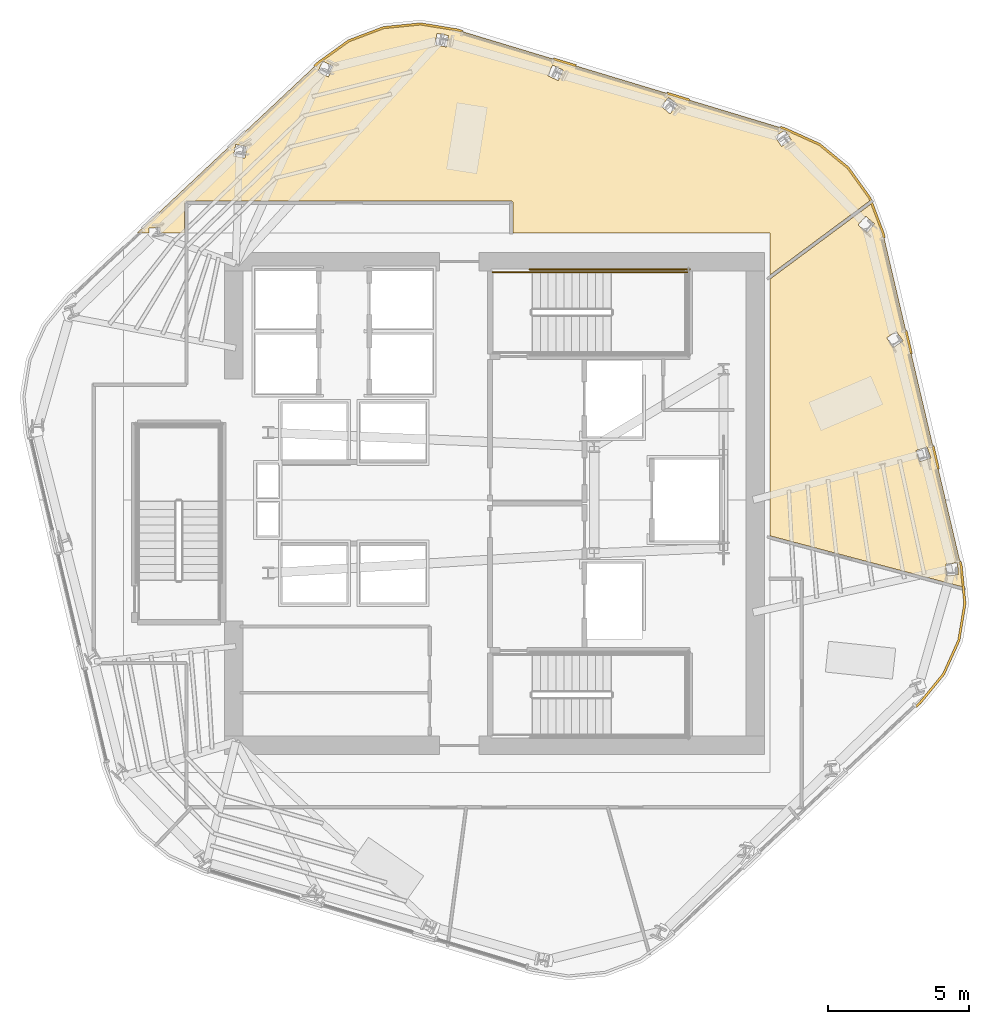
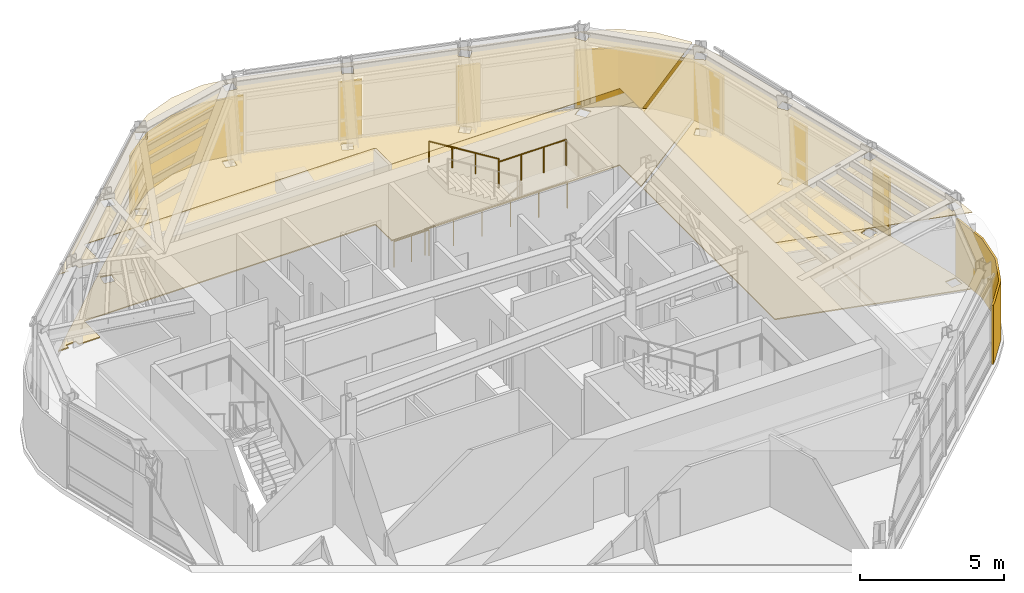
# One storey, part 13 of 14: 11 coverings, 4 railings.
"""IFC4 building model written with IfcOpenShell, lengths in metres."""

from ifc_helpers import new_model, si_unit, direction, frame, origin, origin_2d, place, context, subcontext, project, spatial, polyline, circle, outline, extrude, material, layer, layer_set, type_object, element, save


model = new_model("IFC4")

# Units and contexts
model_context = context("Model", 3, precision=1e-05, world=origin(), true_north=direction((0.0, 1.0)))
body_context = subcontext(model_context, "Body", "Model", "MODEL_VIEW")
ifc_project = project(units=[si_unit("LENGTHUNIT", "METRE"), si_unit("AREAUNIT", "SQUARE_METRE"), si_unit("VOLUMEUNIT", "CUBIC_METRE"), si_unit("PLANEANGLEUNIT", "RADIAN"), si_unit("MASSUNIT", "GRAM", prefix="KILO")], contexts=[model_context])

# Site, building, storey
site_placement = place(None, origin())
site = spatial("IfcSite", under=ifc_project, at=site_placement, CompositionType="ELEMENT")
building_placement = place(site_placement, origin())
building = spatial("IfcBuilding", under=site, at=building_placement, Name="Valkerne Bourse Tower", CompositionType="ELEMENT")
storey_placement = place(building_placement, frame((0.0, 0.0, 209.39990234375)))
storey = spatial("IfcBuildingStorey", under=building, at=storey_placement, Name="L53", CompositionType="ELEMENT", Elevation=209.39990234375)

# Coverings
ifc_material_1 = material(Name="Mineral Fiber Acoustic Ceiling Tile", Category="acoustic")
ifc_layer_1 = layer(ifc_material_1, 0.02490234375)
ifc_layer_set_1 = layer_set([ifc_layer_1], Name="Mineral Fiber Acoustic Ceiling Tile")
covering_type_1 = type_object("IfcCoveringType", Name="COV-CEIL-ACT", PredefinedType="CEILING", material=ifc_layer_set_1)
covering_1_placement = place(storey_placement, frame((0.0, 0.0, 3.25)))
element("IfcCovering", 1, at=covering_1_placement, inside=storey, type_object=covering_type_1, Name="L53 Suspended Ceiling 08", PredefinedType="CEILING", context=body_context, shape_type="SweptSolid", body=[
    extrude(outline(polyline([(60.218017578125, 37.543701171875), (60.61474609375, 36.493896484375), (63.395263671875, 24.638916015625), (63.468505859375, 23.906982421875), (56.60009765625, 25.725341796875), (56.60009765625, 34.857421875), (60.218017578125, 37.543701171875)]), holes=[polyline([(63.296630859375, 24.350830078125), (63.265869140625, 24.7607421875), (62.8525390625, 24.72998046875), (62.852294921875, 24.727783203125), (62.883056640625, 24.31787109375), (63.296142578125, 24.348388671875), (63.296630859375, 24.350830078125)]), polyline([(62.320068359375, 28.50048828125), (62.186279296875, 28.889404296875), (61.794189453125, 28.7548828125), (61.79443359375, 28.752685546875), (61.92822265625, 28.364013671875), (62.3203125, 28.498291015625), (62.320068359375, 28.50048828125)]), polyline([(61.327392578125, 32.6640625), (61.0927734375, 33.001708984375), (60.752197265625, 32.765869140625), (60.753173828125, 32.763671875), (60.987548828125, 32.426025390625), (61.328125, 32.662109375), (61.327392578125, 32.6640625)]), polyline([(60.313232421875, 36.82568359375), (60.0009765625, 37.093017578125), (59.7314453125, 36.7783203125), (59.73291015625, 36.776611328125), (60.045166015625, 36.50927734375), (60.314697265625, 36.823974609375), (60.313232421875, 36.82568359375)])]), origin(), (0.0, 0.0, 1.0), 0.025146484375),
])
covering_2_placement = place(storey_placement, frame((0.0, 0.0, 3.25)))
element("IfcCovering", 2, at=covering_2_placement, inside=storey, type_object=covering_type_1, Name="L53 Suspended Ceiling 10", PredefinedType="CEILING", context=body_context, shape_type="SweptSolid", body=[
    extrude(outline(polyline([(40.547119140625, 42.552490234375), (41.62646484375, 43.328125), (42.86083984375, 43.79443359375), (44.173828125, 43.925537109375), (45.485595703125, 43.710693359375), (57.142333984375, 40.19140625), (58.353759765625, 39.64453125), (59.375, 38.80859375), (60.14501953125, 37.737060546875), (60.1748046875, 37.658447265625), (56.60009765625, 35.004150390625), (56.60009765625, 36.5), (47.468994140625, 36.5), (47.468994140625, 37.5634765625), (47.45166015625, 37.606201171875), (47.41015625, 37.62841796875), (35.849365234375, 37.62890625), (35.80419921875, 37.61181640625), (35.787353515625, 37.589111328125), (35.781005859375, 37.560302734375), (35.781005859375, 36.5), (34.936767578125, 36.5), (34.919921875, 36.69921875), (34.509765625, 36.665771484375), (34.50830078125, 36.663818359375), (34.522216796875, 36.5), (34.101806640625, 36.5), (40.547119140625, 42.552490234375)]), holes=[polyline([(37.92626953125, 39.15771484375), (38.0048828125, 39.564208984375), (37.60107421875, 39.643310546875), (37.599365234375, 39.64208984375), (37.5205078125, 39.235595703125), (37.92431640625, 39.156494140625), (37.92626953125, 39.15771484375)]), polyline([(40.890625, 42.048828125), (41.06982421875, 42.421875), (40.69921875, 42.600830078125), (40.697021484375, 42.60009765625), (40.517822265625, 42.226806640625), (40.88818359375, 42.0478515625), (40.890625, 42.048828125)]), polyline([(45.16552734375, 43.5166015625), (44.759033203125, 43.592529296875), (44.756591796875, 43.59228515625), (44.681396484375, 43.1875), (45.087890625, 43.111328125), (45.09033203125, 43.11181640625), (45.16552734375, 43.5166015625)]), polyline([(57.122802734375, 40.14990234375), (57.12109375, 40.151611328125), (56.781005859375, 39.919189453125), (57.013671875, 39.577392578125), (57.015380859375, 39.575927734375), (57.355712890625, 39.80810546875), (57.122802734375, 40.14990234375)]), polyline([(53.000244140625, 41.3173828125), (52.998291015625, 41.318115234375), (52.72802734375, 41.00732421875), (53.039794921875, 40.735595703125), (53.0419921875, 40.73486328125), (53.31201171875, 41.04541015625), (53.000244140625, 41.3173828125)]), polyline([(49.24755859375, 42.287109375), (48.87353515625, 42.463623046875), (48.871337890625, 42.464111328125), (48.69580078125, 42.09130859375), (49.06982421875, 41.914794921875), (49.072021484375, 41.91455078125), (49.24755859375, 42.287109375)])]), origin(), (0.0, 0.0, 1.0), 0.025146484375),
])
ifc_material_2 = material(Name="Bronze Anodised Aluminium AA 6063-T6", Category="aluminium")
ifc_layer_2 = layer(ifc_material_2, 0.06005859375)
ifc_layer_set_2 = layer_set([ifc_layer_2], Name="Bronze Anodised Aluminium AA 6063-T6")
covering_type_2 = type_object("IfcCoveringType", Name="COV-CRN-ALUM", PredefinedType="CLADDING", material=ifc_layer_set_2)
covering_3_placement = place(storey_placement, origin())
element("IfcCovering", 3, at=covering_3_placement, inside=storey, type_object=covering_type_2, Name="L53 Wind-Shaped Corner Aluminium Cladding 01", PredefinedType="CLADDING", context=body_context, shape_type="SweptSolid", body=[
    extrude(outline(polyline([(63.57177734375, 23.31494140625), (63.3564453125, 22.001220703125), (62.808837890625, 20.7880859375), (61.96142578125, 19.7529296875), (61.820556640625, 19.62060546875), (61.765869140625, 19.678955078125), (61.90283203125, 19.8076171875), (62.740234375, 20.83056640625), (63.279296875, 22.024658203125), (63.490966796875, 23.3173828125), (63.35986328125, 24.6328125), (63.31689453125, 24.81591796875), (63.394775390625, 24.834228515625), (63.438720703125, 24.64599609375), (63.57177734375, 23.31494140625)])), origin(), (0.0, 0.0, 1.0), 2.5),
])
covering_4_placement = place(storey_placement, origin())
element("IfcCovering", 4, at=covering_4_placement, inside=storey, type_object=covering_type_2, Name="L53 Wind-Shaped Corner Aluminium Cladding 13", PredefinedType="CLADDING", context=body_context, shape_type="SweptSolid", body=[
    extrude(outline(polyline([(40.519287109375, 42.586669921875), (41.605712890625, 43.3671875), (42.8505859375, 43.837646484375), (44.17529296875, 43.969970703125), (45.49560546875, 43.75390625), (45.680419921875, 43.697998046875), (45.6572265625, 43.621337890625), (45.477294921875, 43.67578125), (44.1728515625, 43.889404296875), (42.869140625, 43.759033203125), (41.643798828125, 43.296142578125), (40.570068359375, 42.524658203125), (40.43310546875, 42.39599609375), (40.37841796875, 42.454345703125), (40.519287109375, 42.586669921875)])), origin(), (0.0, 0.0, 1.0), 2.5),
])
covering_5_placement = place(storey_placement, origin())
element("IfcCovering", 5, at=covering_5_placement, inside=storey, type_object=covering_type_2, Name="L53 Wind-Shaped Corner Aluminium Cladding 14", PredefinedType="CLADDING", context=body_context, shape_type="SweptSolid", body=[
    extrude(outline(polyline([(49.712646484375, 42.48046875), (49.689453125, 42.404052734375), (48.885498046875, 42.646728515625), (48.908447265625, 42.723388671875), (49.712646484375, 42.48046875)])), origin(), (0.0, 0.0, 1.0), 2.5),
])
covering_6_placement = place(storey_placement, origin())
element("IfcCovering", 6, at=covering_6_placement, inside=storey, type_object=covering_type_2, Name="L53 Wind-Shaped Corner Aluminium Cladding 15", PredefinedType="CLADDING", context=body_context, shape_type="SweptSolid", body=[
    extrude(outline(polyline([(53.744873046875, 41.26318359375), (53.7216796875, 41.1865234375), (52.91748046875, 41.42919921875), (52.940673828125, 41.505859375), (53.744873046875, 41.26318359375)])), origin(), (0.0, 0.0, 1.0), 2.5),
])
covering_7_placement = place(storey_placement, origin())
element("IfcCovering", 7, at=covering_7_placement, inside=storey, type_object=covering_type_2, Name="L53 Wind-Shaped Corner Aluminium Cladding 16", PredefinedType="CLADDING", context=body_context, shape_type="SweptSolid", body=[
    extrude(outline(polyline([(57.157958984375, 40.232666015625), (58.377197265625, 39.68212890625), (59.4072265625, 38.839111328125), (60.18408203125, 37.758056640625), (60.656982421875, 36.506591796875), (60.701171875, 36.318603515625), (60.623291015625, 36.30029296875), (60.580078125, 36.4833984375), (60.113037109375, 37.719970703125), (59.348388671875, 38.78369140625), (58.334716796875, 39.613525390625), (57.1298828125, 40.15771484375), (56.949951171875, 40.2119140625), (56.972900390625, 40.28857421875), (57.157958984375, 40.232666015625)])), origin(), (0.0, 0.0, 1.0), 2.5),
])
covering_8_placement = place(storey_placement, origin())
element("IfcCovering", 8, at=covering_8_placement, inside=storey, type_object=covering_type_2, Name="L53 Wind-Shaped Corner Aluminium Cladding 17", PredefinedType="CLADDING", context=body_context, shape_type="SweptSolid", body=[
    extrude(outline(polyline([(61.662841796875, 32.2177734375), (61.5849609375, 32.199462890625), (61.393310546875, 33.017333984375), (61.47119140625, 33.03564453125), (61.662841796875, 32.2177734375)])), origin(), (0.0, 0.0, 1.0), 2.5),
])
covering_9_placement = place(storey_placement, origin())
element("IfcCovering", 9, at=covering_9_placement, inside=storey, type_object=covering_type_2, Name="L53 Wind-Shaped Corner Aluminium Cladding 18", PredefinedType="CLADDING", context=body_context, shape_type="SweptSolid", body=[
    extrude(outline(polyline([(62.624755859375, 28.1171875), (62.546875, 28.098876953125), (62.35498046875, 28.91650390625), (62.432861328125, 28.934814453125), (62.624755859375, 28.1171875)])), origin(), (0.0, 0.0, 1.0), 2.5),
])
ifc_material_3 = material(Name="Galvanised Painted Steel", Category="steel")
ifc_layer_3 = layer(ifc_material_3, 0.044921875)
ifc_layer_set_3 = layer_set([ifc_layer_3], Name="Galvanised Painted Steel")
covering_type_3 = type_object("IfcCoveringType", Name="COV-FLR-RAF", PredefinedType="FLOORING", material=ifc_layer_set_3)
covering_10_placement = place(storey_placement, origin())
element("IfcCovering", 10, at=covering_10_placement, inside=storey, type_object=covering_type_3, Name="L53 Floor Finish 08", PredefinedType="FLOORING", context=body_context, shape_type="SweptSolid", body=[
    extrude(outline(polyline([(60.218017578125, 37.543701171875), (60.61474609375, 36.493896484375), (63.395263671875, 24.638916015625), (63.468505859375, 23.906982421875), (56.60009765625, 25.725341796875), (56.60009765625, 34.857421875), (60.218017578125, 37.543701171875)]), holes=[polyline([(63.296630859375, 24.350830078125), (63.265869140625, 24.7607421875), (62.8525390625, 24.72998046875), (62.852294921875, 24.727783203125), (62.883056640625, 24.31787109375), (63.296142578125, 24.348388671875), (63.296630859375, 24.350830078125)]), polyline([(62.320068359375, 28.50048828125), (62.186279296875, 28.889404296875), (61.794189453125, 28.7548828125), (61.79443359375, 28.752685546875), (61.92822265625, 28.364013671875), (62.3203125, 28.498291015625), (62.320068359375, 28.50048828125)]), polyline([(61.327392578125, 32.6640625), (61.0927734375, 33.001708984375), (60.752197265625, 32.765869140625), (60.753173828125, 32.763671875), (60.987548828125, 32.426025390625), (61.328125, 32.662109375), (61.327392578125, 32.6640625)]), polyline([(60.313232421875, 36.82568359375), (60.0009765625, 37.093017578125), (59.7314453125, 36.7783203125), (59.73291015625, 36.776611328125), (60.045166015625, 36.50927734375), (60.314697265625, 36.823974609375), (60.313232421875, 36.82568359375)])]), origin(), (0.0, 0.0, 1.0), 0.045166015625),
])
covering_11_placement = place(storey_placement, origin())
element("IfcCovering", 11, at=covering_11_placement, inside=storey, type_object=covering_type_3, Name="L53 Floor Finish 10", PredefinedType="FLOORING", context=body_context, shape_type="SweptSolid", body=[
    extrude(outline(polyline([(40.547119140625, 42.552490234375), (41.62646484375, 43.328125), (42.86083984375, 43.79443359375), (44.173828125, 43.925537109375), (45.485595703125, 43.710693359375), (57.142333984375, 40.19140625), (58.353759765625, 39.64453125), (59.375, 38.80859375), (60.14501953125, 37.737060546875), (60.1748046875, 37.658447265625), (56.60009765625, 35.004150390625), (56.60009765625, 36.5), (47.468994140625, 36.5), (47.468994140625, 37.5634765625), (47.45166015625, 37.606201171875), (47.41015625, 37.62841796875), (35.849365234375, 37.62890625), (35.80419921875, 37.61181640625), (35.787353515625, 37.589111328125), (35.781005859375, 37.560302734375), (35.781005859375, 36.5), (34.936767578125, 36.5), (34.919921875, 36.69921875), (34.509765625, 36.665771484375), (34.50830078125, 36.663818359375), (34.522216796875, 36.5), (34.101806640625, 36.5), (40.547119140625, 42.552490234375)]), holes=[polyline([(37.92626953125, 39.15771484375), (38.0048828125, 39.564208984375), (37.60107421875, 39.643310546875), (37.599365234375, 39.64208984375), (37.5205078125, 39.235595703125), (37.92431640625, 39.156494140625), (37.92626953125, 39.15771484375)]), polyline([(40.890625, 42.048828125), (41.06982421875, 42.421875), (40.69921875, 42.600830078125), (40.697021484375, 42.60009765625), (40.517822265625, 42.226806640625), (40.88818359375, 42.0478515625), (40.890625, 42.048828125)]), polyline([(45.16552734375, 43.5166015625), (44.759033203125, 43.592529296875), (44.756591796875, 43.59228515625), (44.681396484375, 43.1875), (45.087890625, 43.111328125), (45.09033203125, 43.11181640625), (45.16552734375, 43.5166015625)]), polyline([(57.122802734375, 40.14990234375), (57.12109375, 40.151611328125), (56.781005859375, 39.919189453125), (57.013671875, 39.577392578125), (57.015380859375, 39.575927734375), (57.355712890625, 39.80810546875), (57.122802734375, 40.14990234375)]), polyline([(53.000244140625, 41.3173828125), (52.998291015625, 41.318115234375), (52.72802734375, 41.00732421875), (53.039794921875, 40.735595703125), (53.0419921875, 40.73486328125), (53.31201171875, 41.04541015625), (53.000244140625, 41.3173828125)]), polyline([(49.24755859375, 42.287109375), (48.87353515625, 42.463623046875), (48.871337890625, 42.464111328125), (48.69580078125, 42.09130859375), (49.06982421875, 41.914794921875), (49.072021484375, 41.91455078125), (49.24755859375, 42.287109375)])]), origin(), (0.0, 0.0, 1.0), 0.045166015625),
])

# Railings
railing_type_1 = type_object("IfcRailingType", Name="RLG-ST-GUARD-1120", PredefinedType="GUARDRAIL", material=ifc_material_3)
railing_1_placement = place(storey_placement, frame((50.949951171875, 35.10009765625, 1.900146484375)))
element("IfcRailing", 12, at=railing_1_placement, inside=storey, type_object=railing_type_1, Name="L53 ST-2 stair guard 4", PredefinedType="GUARDRAIL", context=body_context, shape_type="SweptSolid", body=[
    extrude(circle(Radius=0.02392578125, at=origin_2d()), frame((0.0, 0.0, 1.09619140625), z_axis=(1.0, 0.0, 0.0), x_axis=(0.0, 1.0, 0.0)), (0.0, 0.0, 1.0), 2.699951171875),
    extrude(circle(Radius=0.02099609375, at=origin_2d()), origin(), (0.0, 0.0, 1.0), 1.072021484375),
    extrude(circle(Radius=0.02099609375, at=origin_2d()), frame((0.89990234375, 0.0, 0.0)), (0.0, 0.0, 1.0), 1.072021484375),
    extrude(circle(Radius=0.02099609375, at=origin_2d()), frame((1.800048828125, 0.0, 0.0)), (0.0, 0.0, 1.0), 1.072021484375),
    extrude(circle(Radius=0.02099609375, at=origin_2d()), frame((2.699951171875, 0.0, 0.0)), (0.0, 0.0, 1.0), 1.072021484375),
])
railing_2_placement = place(storey_placement, frame((46.75, 35.10009765625, 0.0)))
element("IfcRailing", 13, at=railing_2_placement, inside=storey, type_object=railing_type_1, Name="L53 ST-2 stair guard 9", PredefinedType="GUARDRAIL", context=body_context, shape_type="SweptSolid", body=[
    extrude(circle(Radius=0.02392578125, at=origin_2d()), frame((0.0, 0.0, 1.09619140625), z_axis=(1.0, 0.0, 0.0), x_axis=(0.0, 1.0, 0.0)), (0.0, 0.0, 1.0), 1.39990234375),
    extrude(circle(Radius=0.02099609375, at=origin_2d()), origin(), (0.0, 0.0, 1.0), 1.072021484375),
    extrude(circle(Radius=0.02099609375, at=origin_2d()), frame((0.699951171875, 0.0, 0.0)), (0.0, 0.0, 1.0), 1.072021484375),
    extrude(circle(Radius=0.02099609375, at=origin_2d()), frame((1.39990234375, 0.0, 0.0)), (0.0, 0.0, 1.0), 1.072021484375),
])
railing_3_placement = place(storey_placement, frame((48.050048828125, 35.199951171875, 0.0)))
element("IfcRailing", 14, at=railing_3_placement, inside=storey, type_object=railing_type_1, Name="L53 ST-2 stair guard 11", PredefinedType="GUARDRAIL", context=body_context, shape_type="SweptSolid", body=[
    extrude(circle(Radius=0.02392578125, at=origin_2d()), frame((0.0, 0.0, 1.09619140625), z_axis=(1.0, 0.0, 0.0), x_axis=(0.0, 1.0, 0.0)), (0.0, 0.0, 1.0), 5.699951171875),
    extrude(circle(Radius=0.02099609375, at=origin_2d()), origin(), (0.0, 0.0, 1.0), 1.072021484375),
    extrude(circle(Radius=0.02099609375, at=origin_2d()), frame((1.139892578125, 0.0, 0.0)), (0.0, 0.0, 1.0), 1.072021484375),
    extrude(circle(Radius=0.02099609375, at=origin_2d()), frame((2.280029296875, 0.0, 0.0)), (0.0, 0.0, 1.0), 1.072021484375),
    extrude(circle(Radius=0.02099609375, at=origin_2d()), frame((3.419921875, 0.0, 0.0)), (0.0, 0.0, 1.0), 1.072021484375),
    extrude(circle(Radius=0.02099609375, at=origin_2d()), frame((4.56005859375, 0.0, 0.0)), (0.0, 0.0, 1.0), 1.072021484375),
    extrude(circle(Radius=0.02099609375, at=origin_2d()), frame((5.699951171875, 0.0, 0.0)), (0.0, 0.0, 1.0), 1.072021484375),
])
ifc_material_4 = material(Name="Stainless Steel AISI 316", Category="steel")
railing_type_2 = type_object("IfcRailingType", Name="RLG-ST-HANDRAIL-900", PredefinedType="HANDRAIL", material=ifc_material_4)
railing_4_placement = place(storey_placement, frame((50.949951171875, 35.10009765625, 2.24560546875)))
element("IfcRailing", 15, at=railing_4_placement, inside=storey, type_object=railing_type_2, Name="L53 ST-2 stair handrail 2", PredefinedType="HANDRAIL", context=body_context, shape_type="SweptSolid", body=[
    extrude(circle(Radius=0.02392578125, at=origin_2d()), frame((0.0, 0.0, 0.8759765625), z_axis=(-0.851089632645, 0.0, 0.525020415988), x_axis=(0.0, -1.0, 0.0)), (0.0, 0.0, 1.0), 3.2900390625),
    extrude(circle(Radius=0.02099609375, at=origin_2d()), origin(), (0.0, 0.0, 1.0), 0.851806640625),
    extrude(circle(Radius=0.02099609375, at=origin_2d()), frame((-0.933349609375, 0.0, 0.57568359375)), (0.0, 0.0, 1.0), 0.851806640625),
    extrude(circle(Radius=0.02099609375, at=origin_2d()), frame((-1.86669921875, 0.0, 1.151611328125)), (0.0, 0.0, 1.0), 0.851806640625),
    extrude(circle(Radius=0.02099609375, at=origin_2d()), frame((-2.800048828125, 0.0, 1.727294921875)), (0.0, 0.0, 1.0), 0.851806640625),
])

save(model, "model.ifc")
